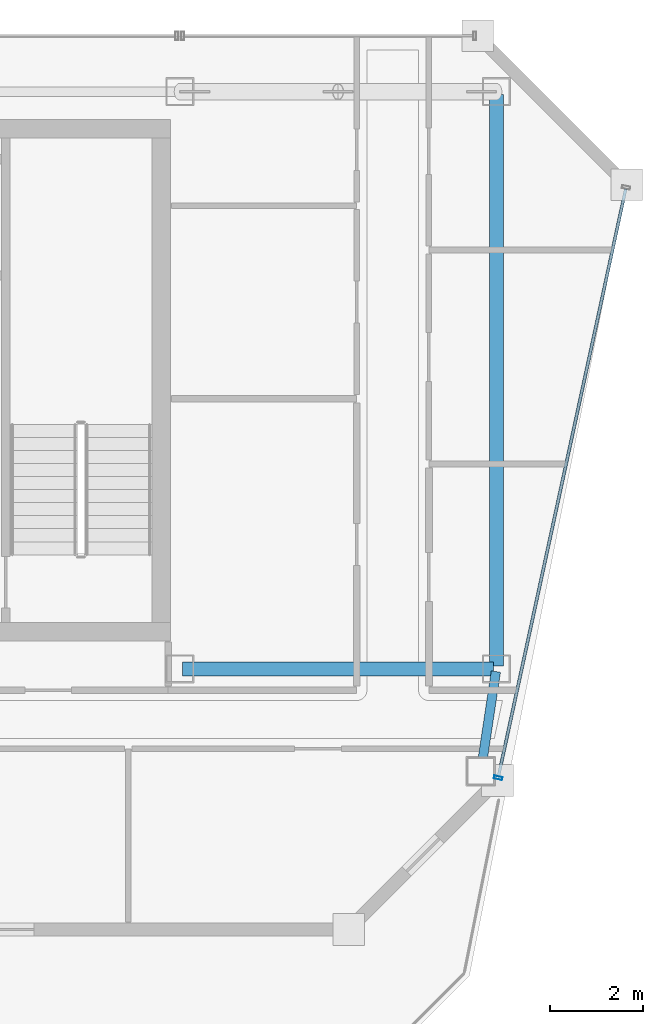
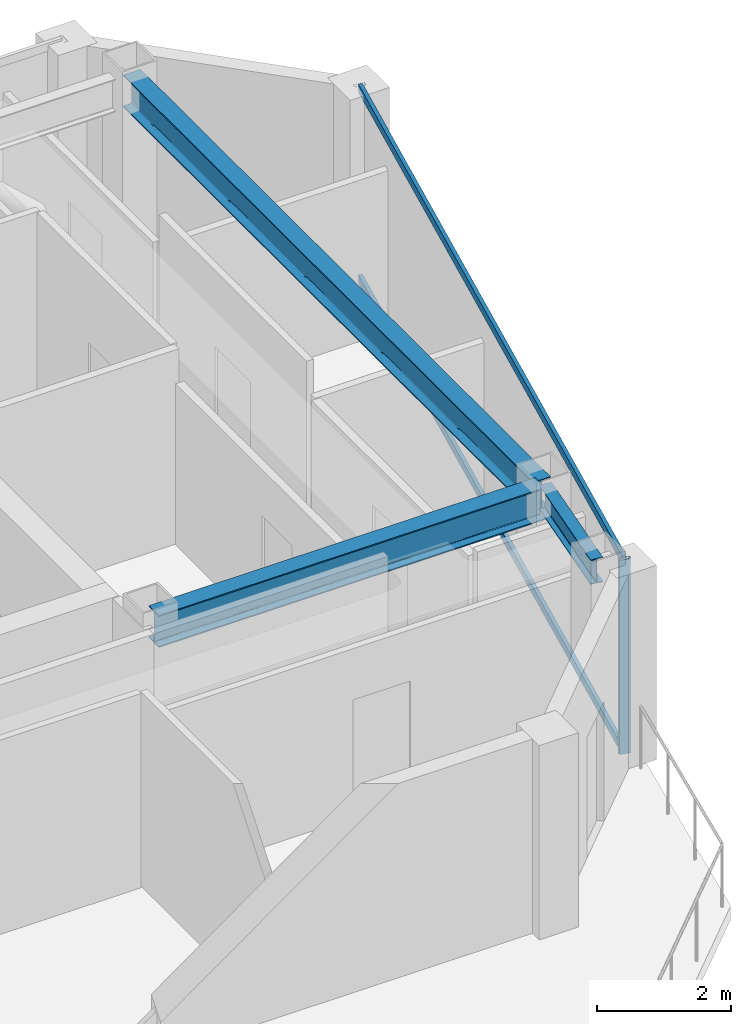
# One storey, part 7 of 17: 3 beams, 3 members, 1 element without a shape of its own.
"""IFC4 building model written with IfcOpenShell, lengths in metres."""

from ifc_helpers import new_model, si_unit, direction, frame, origin, origin_2d, place, context, subcontext, project, spatial, hollow_rectangle, i_section, extrude, material, material_profile, profile_set, type_object, element, aggregate, save


model = new_model("IFC4")

# Units and contexts
model_context = context("Model", 3, precision=1e-05, world=origin(), true_north=direction((0.0, 1.0)))
body_context = subcontext(model_context, "Body", "Model", "MODEL_VIEW")
ifc_project = project(units=[si_unit("LENGTHUNIT", "METRE"), si_unit("AREAUNIT", "SQUARE_METRE"), si_unit("VOLUMEUNIT", "CUBIC_METRE"), si_unit("PLANEANGLEUNIT", "RADIAN"), si_unit("MASSUNIT", "GRAM", prefix="KILO")], contexts=[model_context])

# Site, building, storey
site_placement = place(None, origin())
site = spatial("IfcSite", under=ifc_project, at=site_placement, CompositionType="ELEMENT")
building_placement = place(site_placement, origin())
building = spatial("IfcBuilding", under=site, at=building_placement, Name="Saevonmaru Cultural Tower", CompositionType="ELEMENT")
storey_placement = place(building_placement, frame((0.0, 0.0, 310.39990234375)))
storey = spatial("IfcBuildingStorey", under=building, at=storey_placement, Name="L74", CompositionType="ELEMENT", Elevation=310.39990234375)

# Beams
ifc_material_1 = material(Name="Steel SM355", Category="steel")
ifc_material_profile_1 = material_profile(ifc_material_1, i_section(OverallWidth=0.300048828125, OverallDepth=0.587890625, WebThickness=0.011962890625, FlangeThickness=0.02001953125, FilletRadius=0.02392578125, at=origin_2d()), Name="H-588x300x12x20")
ifc_profile_set_1 = profile_set([ifc_material_profile_1], Name="Steel SM355")
beam_type_1 = type_object("IfcBeamType", Name="BM-G-H588", PredefinedType="BEAM", material=ifc_profile_set_1)
beam_1_placement = place(storey_placement, frame((46.4599609375, 42.39990234375, 3.256103515625), z_axis=(1.0, 0.0, 0.0), x_axis=(0.0, 1.0, 0.0)))
element("IfcBeam", 1, at=beam_1_placement, inside=storey, type_object=beam_type_1, Name="L74 Core South Girder 5", PredefinedType="BEAM", context=body_context, shape_type="SweptSolid", body=[
    extrude(i_section(OverallWidth=0.300048828125, OverallDepth=0.587890625, WebThickness=0.011962890625, FlangeThickness=0.02001953125, FilletRadius=0.02392578125, at=origin_2d()), origin(), (0.0, 0.0, 1.0), 6.679931640625),
])
beam_2_placement = place(storey_placement, frame((53.199951171875, 54.739990234375, 3.256103515625), z_axis=(0.0, -1.0, 0.0), x_axis=(1.0, 0.0, 0.0)))
element("IfcBeam", 2, at=beam_2_placement, inside=storey, type_object=beam_type_1, Name="L74 Spine Transverse Girder E", PredefinedType="BEAM", context=body_context, shape_type="SweptSolid", body=[
    extrude(i_section(OverallWidth=0.300048828125, OverallDepth=0.587890625, WebThickness=0.011962890625, FlangeThickness=0.02001953125, FilletRadius=0.02392578125, at=origin_2d()), origin(), (0.0, 0.0, 1.0), 12.280029296875),
])
ifc_material_profile_2 = material_profile(ifc_material_1, i_section(OverallWidth=0.199951171875, OverallDepth=0.449951171875, WebThickness=0.009033203125, FlangeThickness=0.013916015625, FilletRadius=0.01806640625, at=origin_2d()), Name="H-450x200x9x14")
ifc_profile_set_2 = profile_set([ifc_material_profile_2], Name="Steel SM355")
beam_type_2 = type_object("IfcBeamType", Name="BM-SP-H450", PredefinedType="SPANDREL", material=ifc_profile_set_2)
beam_3_placement = place(storey_placement, frame((52.876953125, 40.25927734375, 3.3251953125), z_axis=(0.149145717006, 0.988815227987, 0.0), x_axis=(-0.988815227987, 0.149145717006, 0.0)))
element("IfcBeam", 3, at=beam_3_placement, inside=storey, type_object=beam_type_2, Name="L74 East Splayed Spandrel 1", PredefinedType="SPANDREL", context=body_context, shape_type="SweptSolid", body=[
    extrude(i_section(OverallWidth=0.199951171875, OverallDepth=0.449951171875, WebThickness=0.009033203125, FlangeThickness=0.013916015625, FilletRadius=0.01806640625, at=origin_2d()), origin(), (0.0, 0.0, 1.0), 2.10498046875),
])

# Curtain wall, members
ifc_material_2 = material(Name="Satin Bronze Anodised Aluminium", Category="aluminium")
curtain_wall_type = type_object("IfcCurtainWallType", Name="CW-TYP-B", PredefinedType="NOTDEFINED", material=ifc_material_2)
curtain_wall_placement = place(storey_placement, origin())
curtain_wall = element("IfcCurtainWall", 4, at=curtain_wall_placement, inside=storey, type_object=curtain_wall_type, Name="L74 Unitised Curtain Wall E8", PredefinedType="NOTDEFINED")
ifc_material_profile_3 = material_profile(ifc_material_2, hollow_rectangle(XDim=0.06494140625, YDim=0.179931640625, WallThickness=0.00390625, at=origin_2d()), Name="ALU-MULL-180x65x4")
ifc_profile_set_3 = profile_set([ifc_material_profile_3], Name="Satin Bronze Anodised Aluminium")
member_type_1 = type_object("IfcMemberType", Name="ML-CW-180x65", PredefinedType="MULLION", material=ifc_profile_set_3)
member_1_placement = place(storey_placement, frame((53.239501953125, 40.05859375, 0.0), z_axis=(0.0, 0.0, 1.0), x_axis=(0.211750401587, 0.977323778196, 0.0)))
member_1 = element("IfcMember", 5, at=member_1_placement, type_object=member_type_1, Name="CW-TW-L74-E8 mullion 1", PredefinedType="MULLION", context=body_context, shape_type="SweptSolid", body=[
    extrude(hollow_rectangle(XDim=0.06494140625, YDim=0.179931640625, WallThickness=0.00390625, at=origin_2d()), origin(), (0.0, 0.0, 1.0), 3.550048828125),
])
ifc_material_profile_4 = material_profile(ifc_material_2, hollow_rectangle(XDim=0.06494140625, YDim=0.14990234375, WallThickness=0.00390625, at=origin_2d()), Name="ALU-TRAN-150x65x4")
ifc_profile_set_4 = profile_set([ifc_material_profile_4], Name="Satin Bronze Anodised Aluminium")
member_type_2 = type_object("IfcMemberType", Name="TR-CW-150x65", PredefinedType="USERDEFINED", material=ifc_profile_set_4)
member_2_placement = place(storey_placement, frame((53.246337890625, 40.09033203125, 0.03271484375), z_axis=(0.211748230013, 0.977324248695, 0.0), x_axis=(-0.977324248695, 0.211748230013, 0.0)))
member_2 = element("IfcMember", 6, at=member_2_placement, type_object=member_type_2, Name="CW-TW-L74-E8 transom 1.1", ObjectType="TRANSOM", PredefinedType="USERDEFINED", context=body_context, shape_type="SweptSolid", body=[
    extrude(hollow_rectangle(XDim=0.06494140625, YDim=0.14990234375, WallThickness=0.00390625, at=origin_2d()), origin(), (0.0, 0.0, 1.0), 12.912109375),
])
member_3_placement = place(storey_placement, frame((53.246337890625, 40.09033203125, 3.517578125), z_axis=(0.211748230013, 0.977324248695, 0.0), x_axis=(-0.977324248695, 0.211748230013, 0.0)))
member_3 = element("IfcMember", 7, at=member_3_placement, type_object=member_type_2, Name="CW-TW-L74-E8 transom 1.2", ObjectType="TRANSOM", PredefinedType="USERDEFINED", context=body_context, shape_type="SweptSolid", body=[
    extrude(hollow_rectangle(XDim=0.06494140625, YDim=0.14990234375, WallThickness=0.00390625, at=origin_2d()), origin(), (0.0, 0.0, 1.0), 12.912109375),
])
aggregate(curtain_wall, [member_1, member_2, member_3])

save(model, "model.ifc")
